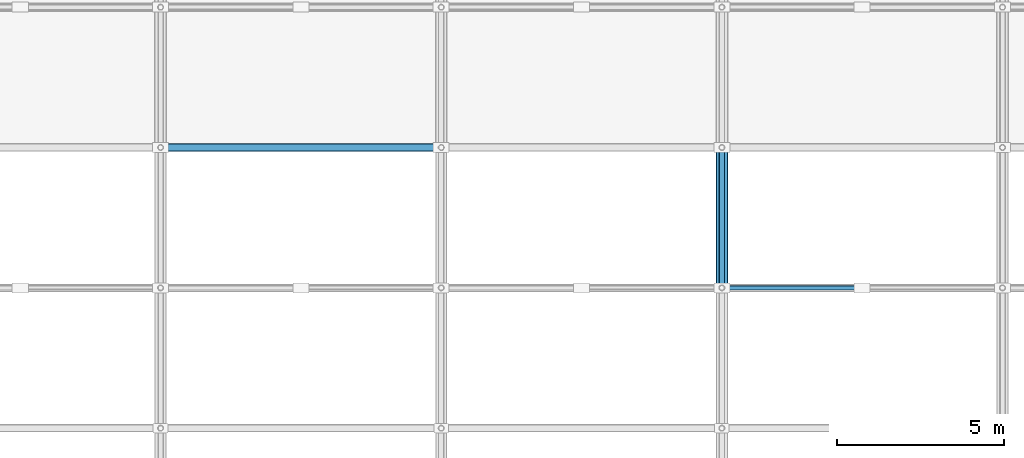
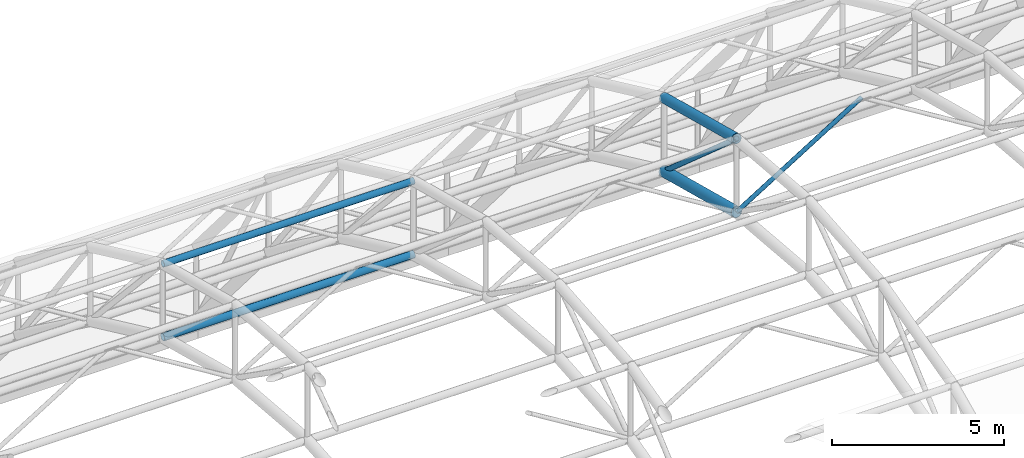
# One storey, part 38 of 103: 4 members, 2 beams.
"""IFC4 building model written with IfcOpenShell, lengths in metres."""

import ifcopenshell
import ifcopenshell.guid

model = None  # the IFC model being written
_history = None  # IfcOwnerHistory: only IFC2X3 demands one
_inside = {}  # id of a spatial element -> (the spatial element, [elements in it])
_under = {}  # id of a project, library or spatial element -> (it, [spatial elements below it])
_declared = {}  # id of a project -> (the project, [libraries it declares])
_typed = {}  # id of a type object -> (the type object, [elements of that type])
_made_of = {}  # id of a material, layer set ... -> (it, [elements and type objects made of it])


def new_model(schema):
    """Start an empty IFC model of exactly this schema.

    Asked for "IFC4X3", IfcOpenShell would pick the latest addendum, in which some entities
    have other attributes; the version numbers below select the first issue.
    IFC2X3 requires an IfcOwnerHistory on every rooted entity: one is made here for all.
    """
    global model, _history
    if schema == "IFC4X3":
        model = ifcopenshell.file(schema_version=(4, 3, 0, 0))
    else:
        model = ifcopenshell.file(schema=schema)
    _inside.clear()
    _under.clear()
    _declared.clear()
    _typed.clear()
    _made_of.clear()
    _history = None
    if model.schema == "IFC2X3":
        org = make("IfcOrganization", Name="unknown")
        user = make(
            "IfcPersonAndOrganization",
            ThePerson=make("IfcPerson", FamilyName="unknown"),
            TheOrganization=org,
        )
        app = make(
            "IfcApplication",
            ApplicationDeveloper=org,
            Version="unknown",
            ApplicationFullName="unknown",
            ApplicationIdentifier="unknown",
        )
        _history = make(
            "IfcOwnerHistory",
            OwningUser=user,
            OwningApplication=app,
            ChangeAction="ADDED",
            CreationDate=0,
        )
    return model


def make(cls, **values):
    """One entity of the class cls with the attributes given. An attribute that is None is left unset."""
    return model.create_entity(
        cls, **{name: value for name, value in values.items() if value is not None}
    )


def rooted(cls, **values):
    """An entity with a GlobalId (a new one), such as an element, a storey or a relation."""
    return make(cls, GlobalId=ifcopenshell.guid.new(), OwnerHistory=_history, **values)


def si_unit(unit_type, name, prefix=None):
    """IfcSIUnit, for example si_unit("LENGTHUNIT", "METRE", prefix="MILLI")."""
    return make("IfcSIUnit", UnitType=unit_type, Prefix=prefix, Name=name)


def assignment(units):
    """IfcUnitAssignment: the units of a project."""
    return None if units is None else make("IfcUnitAssignment", Units=units)


def point(xyz):
    """IfcCartesianPoint."""
    return None if xyz is None else make("IfcCartesianPoint", Coordinates=xyz)


def direction(xyz):
    """IfcDirection."""
    return None if xyz is None else make("IfcDirection", DirectionRatios=xyz)


def frame(location, z_axis=None, x_axis=None):
    """IfcAxis2Placement3D, a coordinate frame: its origin and axes. An axis left out is left unset."""
    return make(
        "IfcAxis2Placement3D",
        Location=point(location),
        Axis=direction(z_axis),
        RefDirection=direction(x_axis),
    )


def frame_2d(location, x_axis=None):
    """IfcAxis2Placement2D, a coordinate frame in the plane: its origin and x axis."""
    return make(
        "IfcAxis2Placement2D", Location=point(location), RefDirection=direction(x_axis)
    )


def origin():
    """The frame at (0, 0, 0) with its axes left unset."""
    return frame((0.0, 0.0, 0.0))


def origin_2d():
    """The frame at (0, 0) in the plane with its x axis left unset."""
    return frame_2d((0.0, 0.0))


def place(relative_to, where):
    """IfcLocalPlacement: puts the frame where relative to a parent placement (None: the world)."""
    return make(
        "IfcLocalPlacement", PlacementRelTo=relative_to, RelativePlacement=where
    )


def context(
    kind, dimensions, precision=None, world=None, true_north=None, identifier=None
):
    """IfcGeometricRepresentationContext, for example the 3D "Model" context."""
    return make(
        "IfcGeometricRepresentationContext",
        ContextIdentifier=identifier,
        ContextType=kind,
        CoordinateSpaceDimension=dimensions,
        Precision=precision,
        WorldCoordinateSystem=world,
        TrueNorth=true_north,
    )


def subcontext(parent, identifier, kind, view, scale=None):
    """IfcGeometricRepresentationSubContext, for example "Body" below "Model"."""
    return make(
        "IfcGeometricRepresentationSubContext",
        ContextIdentifier=identifier,
        ContextType=kind,
        ParentContext=parent,
        TargetScale=scale,
        TargetView=view,
    )


def project(units=None, contexts=None):
    """IfcProject with its units and contexts."""
    return rooted(
        "IfcProject",
        Name="project",
        RepresentationContexts=contexts,
        UnitsInContext=assignment(units),
    )


def spatial(cls, under=None, at=None, **own):
    """A site, building, storey or space (cls), placed at a placement, below another one or the project."""
    s = rooted(cls, ObjectPlacement=at, **own)
    if under is not None:
        _under.setdefault(under.id(), (under, []))[1].append(s)
    return s


def profile(cls, at=None, kind="AREA", **sizes):
    """A parametric profile (cls). Its sizes go by their IFC names, for example OverallWidth=200.0."""
    return make(cls, ProfileType=kind, Position=at, **sizes)


def hollow_circle(**sizes):
    """IfcCircleHollowProfileDef."""
    return profile("IfcCircleHollowProfileDef", **sizes)


def extrude(swept, where, along, depth):
    """IfcExtrudedAreaSolid: the profile swept, set in the frame where, extruded along a direction by depth."""
    return make(
        "IfcExtrudedAreaSolid",
        SweptArea=swept,
        Position=where,
        ExtrudedDirection=direction(along),
        Depth=depth,
    )


def shape(context_of_items, identifier, shape_type, items):
    """IfcShapeRepresentation: the items that make up one representation, for example the "Body"."""
    return make(
        "IfcShapeRepresentation",
        ContextOfItems=context_of_items,
        RepresentationIdentifier=identifier,
        RepresentationType=shape_type,
        Items=items,
    )


def material(Name=None, Category=None):
    """IfcMaterial."""
    return make("IfcMaterial", Name=Name, Category=Category)


def material_profile(
    of_material, cross_section, Name=None, Category=None, Priority=None
):
    """IfcMaterialProfile: a cross section and its material."""
    return make(
        "IfcMaterialProfile",
        Name=Name,
        Material=of_material,
        Profile=cross_section,
        Priority=Priority,
        Category=Category,
    )


def profile_set(profiles, Name=None, composite=None):
    """IfcMaterialProfileSet."""
    return make(
        "IfcMaterialProfileSet",
        Name=Name,
        MaterialProfiles=profiles,
        CompositeProfile=composite,
    )


def made_of(thing, what):
    """Note that an element or type object is made of a material, layer set ...; save() writes the relation."""
    if what is not None:
        _made_of.setdefault(what.id(), (what, []))[1].append(thing)
    return thing


def type_object(cls, material=None, **own):
    """A type object (cls), such as IfcWallType, which elements share."""
    return made_of(rooted(cls, **own), material)


def element(
    cls,
    number,
    at=None,
    inside=None,
    cuts=None,
    type_object=None,
    material=None,
    context=None,
    identifier="Body",
    shape_type=None,
    held_by="IfcProductDefinitionShape",
    body=None,
    shapes=None,
    **own,
):
    """One element of the class cls, such as IfcWall. Its Tag is "e" and its number.

    at: its placement. inside: the storey or other place that contains it. cuts: it is an
    opening in that element (IfcRelVoidsElement). A single representation is given by context,
    identifier, shape_type and body (its items); several are given by shapes. held_by: the class
    of the entity that holds the representations. save() writes the other relations.
    """
    e = rooted(cls, Tag="e%d" % number, ObjectPlacement=at, **own)
    if body is not None:
        shapes = [shape(context, identifier, shape_type, body)]
    if shapes is not None:
        e.Representation = make(held_by, Representations=shapes)
    if inside is not None:
        _inside.setdefault(inside.id(), (inside, []))[1].append(e)
    if cuts is not None:
        rooted(
            "IfcRelVoidsElement", RelatingBuildingElement=cuts, RelatedOpeningElement=e
        )
    if type_object is not None:
        _typed.setdefault(type_object.id(), (type_object, []))[1].append(e)
    return made_of(e, material)


def aggregate(whole, parts):
    """IfcRelAggregates: a whole, such as a stair, and the parts it consists of."""
    return rooted("IfcRelAggregates", RelatingObject=whole, RelatedObjects=parts)


def save(model, path):
    """Write the relations noted so far, then the file.

    IfcRelAggregates (storeys below a building ...), IfcRelContainedInSpatialStructure (elements
    in a storey), IfcRelDefinesByType, IfcRelAssociatesMaterial and IfcRelDeclares: one each for
    every whole, place, type object, material and project.
    """
    for whole, parts in _under.values():
        aggregate(whole, parts)
    for where, things in _inside.values():
        rooted(
            "IfcRelContainedInSpatialStructure",
            RelatedElements=things,
            RelatingStructure=where,
        )
    for kind, things in _typed.values():
        rooted("IfcRelDefinesByType", RelatedObjects=things, RelatingType=kind)
    for what, things in _made_of.values():
        rooted("IfcRelAssociatesMaterial", RelatedObjects=things, RelatingMaterial=what)
    for by, libraries in _declared.values():
        rooted("IfcRelDeclares", RelatingContext=by, RelatedDefinitions=libraries)
    model.write(path)


model = new_model("IFC4")

# Units and contexts
model_context = context("Model", 3, precision=1e-05, world=origin(), true_north=direction((0.0, 1.0)))
body_context = subcontext(model_context, "Body", "Model", "MODEL_VIEW")
ifc_project = project(units=[si_unit("LENGTHUNIT", "METRE"), si_unit("AREAUNIT", "SQUARE_METRE"), si_unit("VOLUMEUNIT", "CUBIC_METRE"), si_unit("PLANEANGLEUNIT", "RADIAN"), si_unit("MASSUNIT", "GRAM", prefix="KILO")], contexts=[model_context])

# Site, building, storey
site_placement = place(None, origin())
site = spatial("IfcSite", under=ifc_project, at=site_placement, CompositionType="ELEMENT")
building_placement = place(site_placement, origin())
building = spatial("IfcBuilding", under=site, at=building_placement, Name="Varnapada Polytechnic", CompositionType="ELEMENT")
storey_placement = place(building_placement, frame((0.0, 0.0, 18.0)))
storey = spatial("IfcBuildingStorey", under=building, at=storey_placement, Name="L04", CompositionType="ELEMENT", Elevation=18.0)

# Members
ifc_material = material(Name="Steel S355", Category="steel")
ifc_material_profile_1 = material_profile(ifc_material, hollow_circle(Radius=0.122314453125, WallThickness=0.008056640625, at=origin_2d()), Name="CHS 244.5x8.0")
ifc_profile_set_1 = profile_set([ifc_material_profile_1], Name="Steel S355")
member_type_1 = type_object("IfcMemberType", Name="Vaulted space frame longitudinal bottom chord SFC-01 (CHS 244.5x8.0)", PredefinedType="CHORD", material=ifc_profile_set_1)
member_1_placement = place(storey_placement, frame((75.60009765625, 113.39990234375, 9.98193359375), z_axis=(1.0, 0.0, 0.0), x_axis=(0.0, 1.0, 0.0)))
element("IfcMember", 1, at=member_1_placement, inside=storey, type_object=member_type_1, Name="Vaulted space frame longitudinal bottom chord 4.8", PredefinedType="CHORD", context=body_context, shape_type="SweptSolid", body=[
    extrude(hollow_circle(Radius=0.122314453125, WallThickness=0.008056640625, at=origin_2d()), origin(), (0.0, 0.0, 1.0), 8.39990234375),
])
ifc_material_profile_2 = material_profile(ifc_material, hollow_circle(Radius=0.109619140625, WallThickness=0.008056640625, at=origin_2d()), Name="CHS 219.1x8.0")
ifc_profile_set_2 = profile_set([ifc_material_profile_2], Name="Steel S355")
member_type_2 = type_object("IfcMemberType", Name="Vaulted space frame longitudinal top chord SFC-02 (CHS 219.1x8.0)", PredefinedType="CHORD", material=ifc_profile_set_2)
member_2_placement = place(storey_placement, frame((75.60009765625, 113.39990234375, 12.581787109375), z_axis=(1.0, 0.0, 0.0), x_axis=(0.0, 1.0, 0.0)))
element("IfcMember", 2, at=member_2_placement, inside=storey, type_object=member_type_2, Name="Vaulted space frame longitudinal top chord 4.8", PredefinedType="CHORD", context=body_context, shape_type="SweptSolid", body=[
    extrude(hollow_circle(Radius=0.109619140625, WallThickness=0.008056640625, at=origin_2d()), origin(), (0.0, 0.0, 1.0), 8.39990234375),
])

# Beam
ifc_material_profile_3 = material_profile(ifc_material, hollow_circle(Radius=0.177734375, WallThickness=0.012451171875, at=origin_2d()), Name="CHS 355.6x12.5")
ifc_profile_set_3 = profile_set([ifc_material_profile_3], Name="Steel S355")
beam_type_1 = type_object("IfcBeamType", Name="Vaulted space frame primary arch rib VA-01 (CHS 355.6x12.5)", PredefinedType="BEAM", material=ifc_profile_set_3)
beam_1_placement = place(storey_placement, frame((92.39990234375, 109.199951171875, 11.080078125), z_axis=(0.0, 0.967476176159, -0.252962148484), x_axis=(-1.0, 0.0, 0.0)))
element("IfcBeam", 3, at=beam_1_placement, inside=storey, type_object=beam_type_1, Name="Vaulted space frame bottom arch chord 6.7", PredefinedType="BEAM", context=body_context, shape_type="SweptSolid", body=[
    extrude(hollow_circle(Radius=0.177734375, WallThickness=0.012451171875, at=origin_2d()), origin(), (0.0, 0.0, 1.0), 4.341064453125),
])

# Members
ifc_material_profile_4 = material_profile(ifc_material, hollow_circle(Radius=0.084228515625, WallThickness=0.00634765625, at=origin_2d()), Name="CHS 168.3x6.3")
ifc_profile_set_4 = profile_set([ifc_material_profile_4], Name="Steel S355")
member_type_3 = type_object("IfcMemberType", Name="Vaulted space frame primary web diagonal SFB-01 (CHS 168.3x6.3)", PredefinedType="BRACE", material=ifc_profile_set_4)
member_3_placement = place(storey_placement, frame((92.39990234375, 109.199951171875, 13.679931640625), z_axis=(0.0, 0.750532603682, -0.660833421378), x_axis=(-1.0, 0.0, 0.0)))
element("IfcMember", 4, at=member_3_placement, inside=storey, type_object=member_type_3, Name="Vaulted space frame web diagonal 6.7", PredefinedType="BRACE", context=body_context, shape_type="SweptSolid", body=[
    extrude(hollow_circle(Radius=0.084228515625, WallThickness=0.00634765625, at=origin_2d()), origin(), (0.0, 0.0, 1.0), 5.595947265625),
])
ifc_material_profile_5 = material_profile(ifc_material, hollow_circle(Radius=0.06982421875, WallThickness=0.0048828125, at=origin_2d()), Name="CHS 139.7x5.0")
ifc_profile_set_5 = profile_set([ifc_material_profile_5], Name="Steel S355")
member_type_4 = type_object("IfcMemberType", Name="Vaulted space frame secondary web diagonal SFB-02 (CHS 139.7x5.0)", PredefinedType="BRACE", material=ifc_profile_set_5)
member_4_placement = place(storey_placement, frame((92.39990234375, 109.199951171875, 11.080078125), z_axis=(0.850289371618, 0.0, 0.526315480025), x_axis=(0.0, 1.0, 0.0)))
element("IfcMember", 5, at=member_4_placement, inside=storey, type_object=member_type_4, Name="Vaulted space frame longitudinal brace 6.7A", PredefinedType="BRACE", context=body_context, shape_type="SweptSolid", body=[
    extrude(hollow_circle(Radius=0.06982421875, WallThickness=0.0048828125, at=origin_2d()), origin(), (0.0, 0.0, 1.0), 4.939697265625),
])

# Beam
ifc_material_profile_6 = material_profile(ifc_material, hollow_circle(Radius=0.161865234375, WallThickness=0.010009765625, at=origin_2d()), Name="CHS 323.9x10.0")
ifc_profile_set_6 = profile_set([ifc_material_profile_6], Name="Steel S355")
beam_type_2 = type_object("IfcBeamType", Name="Vaulted space frame upper arch rib VA-02 (CHS 323.9x10.0)", PredefinedType="BEAM", material=ifc_profile_set_6)
beam_2_placement = place(storey_placement, frame((92.39990234375, 109.199951171875, 13.679931640625), z_axis=(0.0, 0.967476176159, -0.252962148484), x_axis=(-1.0, 0.0, 0.0)))
element("IfcBeam", 6, at=beam_2_placement, inside=storey, type_object=beam_type_2, Name="Vaulted space frame top arch chord 6.7", PredefinedType="BEAM", context=body_context, shape_type="SweptSolid", body=[
    extrude(hollow_circle(Radius=0.161865234375, WallThickness=0.010009765625, at=origin_2d()), origin(), (0.0, 0.0, 1.0), 4.341064453125),
])

save(model, "model.ifc")
